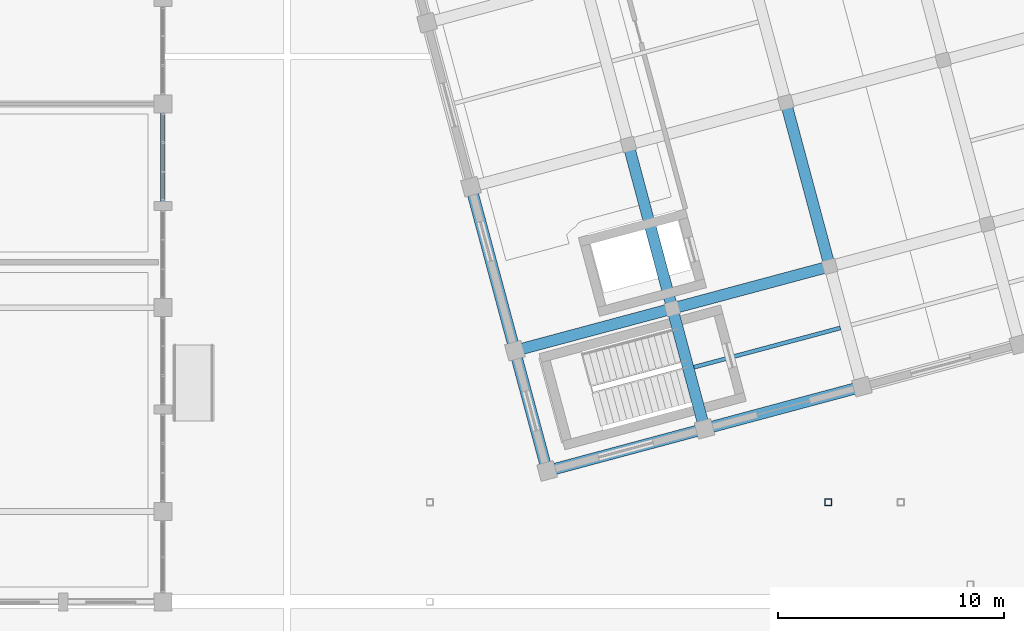
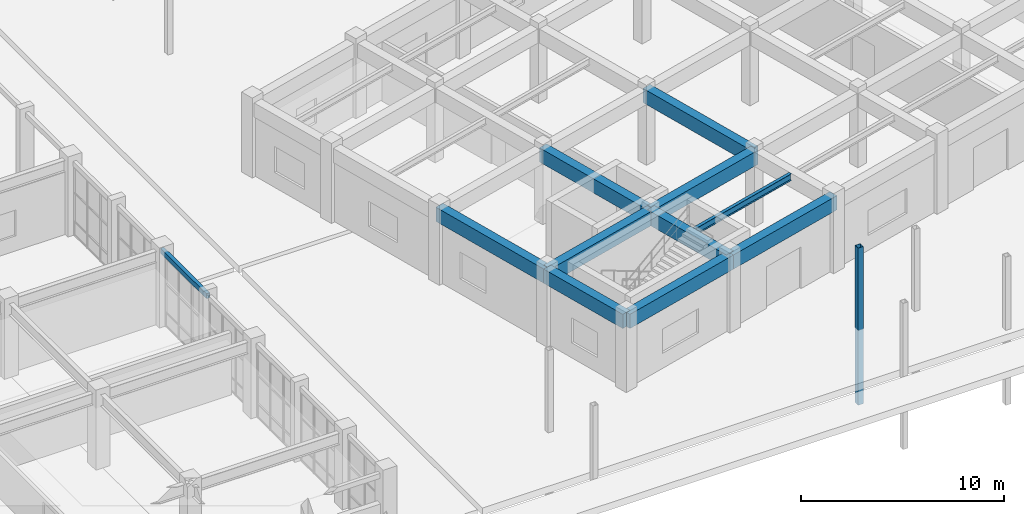
# One storey, part 18 of 47: 11 beams, 1 member.
"""IFC4 building model written with IfcOpenShell, lengths in metres."""

from ifc_helpers import new_model, si_unit, direction, frame, origin, origin_2d, place, context, subcontext, project, spatial, rectangle, hollow_rectangle, i_section, extrude, material, material_profile, profile_set, type_object, element, save


model = new_model("IFC4")

# Units and contexts
model_context = context("Model", 3, precision=1e-05, world=origin(), true_north=direction((0.0, 1.0)))
body_context = subcontext(model_context, "Body", "Model", "MODEL_VIEW")
ifc_project = project(units=[si_unit("LENGTHUNIT", "METRE"), si_unit("AREAUNIT", "SQUARE_METRE"), si_unit("VOLUMEUNIT", "CUBIC_METRE"), si_unit("PLANEANGLEUNIT", "RADIAN"), si_unit("MASSUNIT", "GRAM", prefix="KILO")], contexts=[model_context])

# Site, building, storey
site_placement = place(None, origin())
site = spatial("IfcSite", under=ifc_project, at=site_placement, CompositionType="ELEMENT")
building_placement = place(site_placement, origin())
building = spatial("IfcBuilding", under=site, at=building_placement, Name="Ventoquebrada Cableway Terminal", CompositionType="ELEMENT")
storey_placement = place(building_placement, origin())
storey = spatial("IfcBuildingStorey", under=building, at=storey_placement, Name="L00", CompositionType="ELEMENT", Elevation=0.0)

# Beams
ifc_material_1 = material(Name="Concrete C40/50", Category="concrete")
ifc_material_profile_1 = material_profile(ifc_material_1, rectangle(XDim=0.5, YDim=0.85009765625, at=origin_2d()), Name="RC-BM-500X850")
ifc_profile_set_1 = profile_set([ifc_material_profile_1], Name="Concrete C40/50")
beam_type_1 = type_object("IfcBeamType", Name="BM-RC04", PredefinedType="BEAM", material=ifc_profile_set_1)
beam_1_placement = place(storey_placement, frame((51.97802734375, 69.783935546875, 4.02490234375), z_axis=(-0.258897298886, 0.965904854853, 0.0), x_axis=(-0.965904854853, -0.258897298886, 0.0)))
element("IfcBeam", 1, at=beam_1_placement, inside=storey, type_object=beam_type_1, Name="Splayed station girder FBM-0954", PredefinedType="BEAM", context=body_context, shape_type="SweptSolid", body=[
    extrude(rectangle(XDim=0.5, YDim=0.85009765625, at=origin_2d()), origin(), (0.0, 0.0, 1.0), 5.50048828125),
])
beam_2_placement = place(storey_placement, frame((50.553955078125, 75.096923828125, 4.02490234375), z_axis=(-0.258801172479, 0.965930615067, 0.0), x_axis=(-0.965930615067, -0.258801172479, 0.0)))
element("IfcBeam", 2, at=beam_2_placement, inside=storey, type_object=beam_type_1, Name="Splayed station girder FBM-0955", PredefinedType="BEAM", context=body_context, shape_type="SweptSolid", body=[
    extrude(rectangle(XDim=0.5, YDim=0.85009765625, at=origin_2d()), origin(), (0.0, 0.0, 1.0), 7.499755859375),
])
beam_3_placement = place(storey_placement, frame((58.93310546875, 71.64794921875, 4.02490234375), z_axis=(-0.258941703614, 0.965892951693, 0.0), x_axis=(-0.965892951693, -0.258941703614, 0.0)))
element("IfcBeam", 3, at=beam_3_placement, inside=storey, type_object=beam_type_1, Name="Splayed station girder FBM-0958", PredefinedType="BEAM", context=body_context, shape_type="SweptSolid", body=[
    extrude(rectangle(XDim=0.5, YDim=0.85009765625, at=origin_2d()), origin(), (0.0, 0.0, 1.0), 5.49951171875),
])
beam_4_placement = place(storey_placement, frame((57.509033203125, 76.9599609375, 4.02490234375), z_axis=(-0.258768624905, 0.96593933493, 0.0), x_axis=(-0.96593933493, -0.258768624905, 0.0)))
element("IfcBeam", 4, at=beam_4_placement, inside=storey, type_object=beam_type_1, Name="Splayed station girder FBM-0959", PredefinedType="BEAM", context=body_context, shape_type="SweptSolid", body=[
    extrude(rectangle(XDim=0.5, YDim=0.85009765625, at=origin_2d()), origin(), (0.0, 0.0, 1.0), 7.50048828125),
])
beam_5_placement = place(storey_placement, frame((64.464111328125, 78.823974609375, 4.02490234375), z_axis=(-0.258831545324, 0.965922476778, 0.0), x_axis=(-0.965922476778, -0.258831545324, 0.0)))
element("IfcBeam", 5, at=beam_5_placement, inside=storey, type_object=beam_type_1, Name="Splayed station girder FBM-0963", PredefinedType="BEAM", context=body_context, shape_type="SweptSolid", body=[
    extrude(rectangle(XDim=0.5, YDim=0.85009765625, at=origin_2d()), origin(), (0.0, 0.0, 1.0), 7.499755859375),
])
beam_6_placement = place(storey_placement, frame((51.97802734375, 69.783935546875, 4.02490234375), z_axis=(0.96591172503, 0.258871665986, 0.0), x_axis=(-0.258871665986, 0.96591172503, 0.0)))
element("IfcBeam", 6, at=beam_6_placement, inside=storey, type_object=beam_type_1, Name="Splayed station girder FBM-0978", PredefinedType="BEAM", context=body_context, shape_type="SweptSolid", body=[
    extrude(rectangle(XDim=0.5, YDim=0.85009765625, at=origin_2d()), origin(), (0.0, 0.0, 1.0), 7.200439453125),
])
beam_7_placement = place(storey_placement, frame((58.93310546875, 71.64794921875, 4.02490234375), z_axis=(0.965934277216, 0.258787503754, 0.0), x_axis=(-0.258787503754, 0.965934277216, 0.0)))
element("IfcBeam", 7, at=beam_7_placement, inside=storey, type_object=beam_type_1, Name="Splayed station girder FBM-0979", PredefinedType="BEAM", context=body_context, shape_type="SweptSolid", body=[
    extrude(rectangle(XDim=0.5, YDim=0.85009765625, at=origin_2d()), origin(), (0.0, 0.0, 1.0), 7.19921875),
])
beam_8_placement = place(storey_placement, frame((50.553955078125, 75.096923828125, 4.02490234375), z_axis=(0.965945630245, 0.258745124417, 0.0), x_axis=(-0.258745124417, 0.965945630245, 0.0)))
element("IfcBeam", 8, at=beam_8_placement, inside=storey, type_object=beam_type_1, Name="Splayed station girder FBM-0983", PredefinedType="BEAM", context=body_context, shape_type="SweptSolid", body=[
    extrude(rectangle(XDim=0.5, YDim=0.85009765625, at=origin_2d()), origin(), (0.0, 0.0, 1.0), 7.2001953125),
])
beam_9_placement = place(storey_placement, frame((57.509033203125, 76.9599609375, 4.02490234375), z_axis=(0.96591172503, 0.258871665986, 0.0), x_axis=(-0.258871665986, 0.96591172503, 0.0)))
element("IfcBeam", 9, at=beam_9_placement, inside=storey, type_object=beam_type_1, Name="Splayed station girder FBM-0984", PredefinedType="BEAM", context=body_context, shape_type="SweptSolid", body=[
    extrude(rectangle(XDim=0.5, YDim=0.85009765625, at=origin_2d()), origin(), (0.0, 0.0, 1.0), 7.200439453125),
])
ifc_material_2 = material(Name="Steel ASTM A992 Grade 50", Category="steel")
ifc_material_profile_2 = material_profile(ifc_material_2, i_section(OverallWidth=0.177978515625, OverallDepth=0.406005859375, WebThickness=0.0078125, FlangeThickness=0.0126953125, at=origin_2d()), Name="W16X40")
ifc_profile_set_2 = profile_set([ifc_material_profile_2], Name="Steel ASTM A992 Grade 50")
beam_type_2 = type_object("IfcBeamType", Name="JST-ST06", PredefinedType="JOIST", material=ifc_profile_set_2)
beam_10_placement = place(storey_placement, frame((58.4619140625, 74.368896484375, 4.2470703125), z_axis=(0.965928860385, 0.258807721438, 0.0), x_axis=(-0.258807721438, 0.965928860385, 0.0)))
element("IfcBeam", 10, at=beam_10_placement, inside=storey, type_object=beam_type_2, Name="Splayed deck joist FBM-1005", PredefinedType="JOIST", context=body_context, shape_type="SweptSolid", body=[
    extrude(i_section(OverallWidth=0.177978515625, OverallDepth=0.406005859375, WebThickness=0.0078125, FlangeThickness=0.0126953125, at=origin_2d()), origin(), (0.0, 0.0, 1.0), 6.700439453125),
])

# Member
ifc_material_3 = material(Name="Steel ASTM A500 Grade C", Category="steel")
ifc_material_profile_3 = material_profile(ifc_material_3, hollow_rectangle(XDim=0.300048828125, YDim=0.300048828125, WallThickness=0.01611328125, at=origin_2d()), Name="HSS300X300X16")
ifc_profile_set_3 = profile_set([ifc_material_profile_3], Name="Steel ASTM A500 Grade C")
member_type = type_object("IfcMemberType", Name="PST-GS01", PredefinedType="STRUT", material=ifc_profile_set_3)
member_placement = place(storey_placement, frame((64.39990234375, 68.39990234375, -4.5), z_axis=(0.0, 0.0, 1.0), x_axis=(1.0, 0.0, 0.0)))
element("IfcMember", 11, at=member_placement, inside=storey, type_object=member_type, Name="Plaza canopy support post CN-PS-0555", PredefinedType="STRUT", context=body_context, shape_type="SweptSolid", body=[
    extrude(hollow_rectangle(XDim=0.300048828125, YDim=0.300048828125, WallThickness=0.01611328125, at=origin_2d()), origin(), (0.0, 0.0, 1.0), 9.431884765625),
])

# Beam
ifc_material_profile_4 = material_profile(ifc_material_3, hollow_rectangle(XDim=0.199951171875, YDim=0.300048828125, WallThickness=0.012451171875, at=origin_2d()), Name="RHS300X200X12.5")
ifc_profile_set_4 = profile_set([ifc_material_profile_4], Name="Steel ASTM A500 Grade C")
beam_type_3 = type_object("IfcBeamType", Name="SP-ST02", PredefinedType="SPANDREL", material=ifc_profile_set_4)
beam_11_placement = place(storey_placement, frame((35.0, 81.5, 4.2900390625), z_axis=(0.0, 1.0, 0.0), x_axis=(-1.0, 0.0, 0.0)))
element("IfcBeam", 12, at=beam_11_placement, inside=storey, type_object=beam_type_3, Name="Perimeter spandrel beam FBM-0370", PredefinedType="SPANDREL", context=body_context, shape_type="SweptSolid", body=[
    extrude(hollow_rectangle(XDim=0.199951171875, YDim=0.300048828125, WallThickness=0.012451171875, at=origin_2d()), origin(), (0.0, 0.0, 1.0), 4.5),
])

save(model, "model.ifc")
